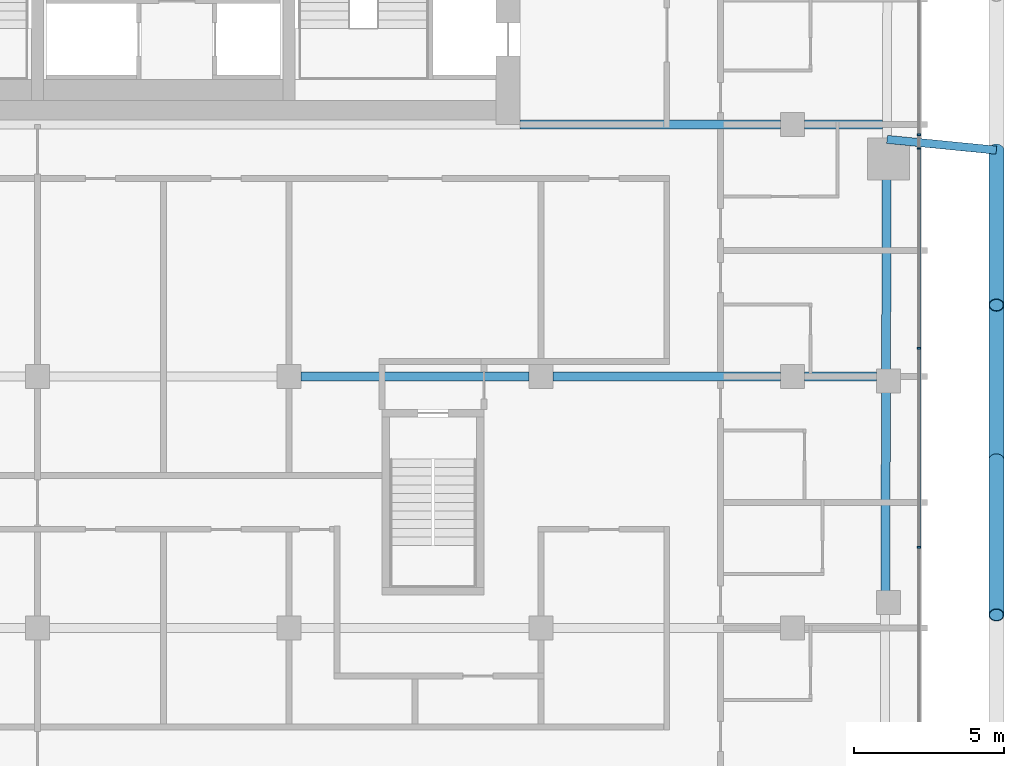
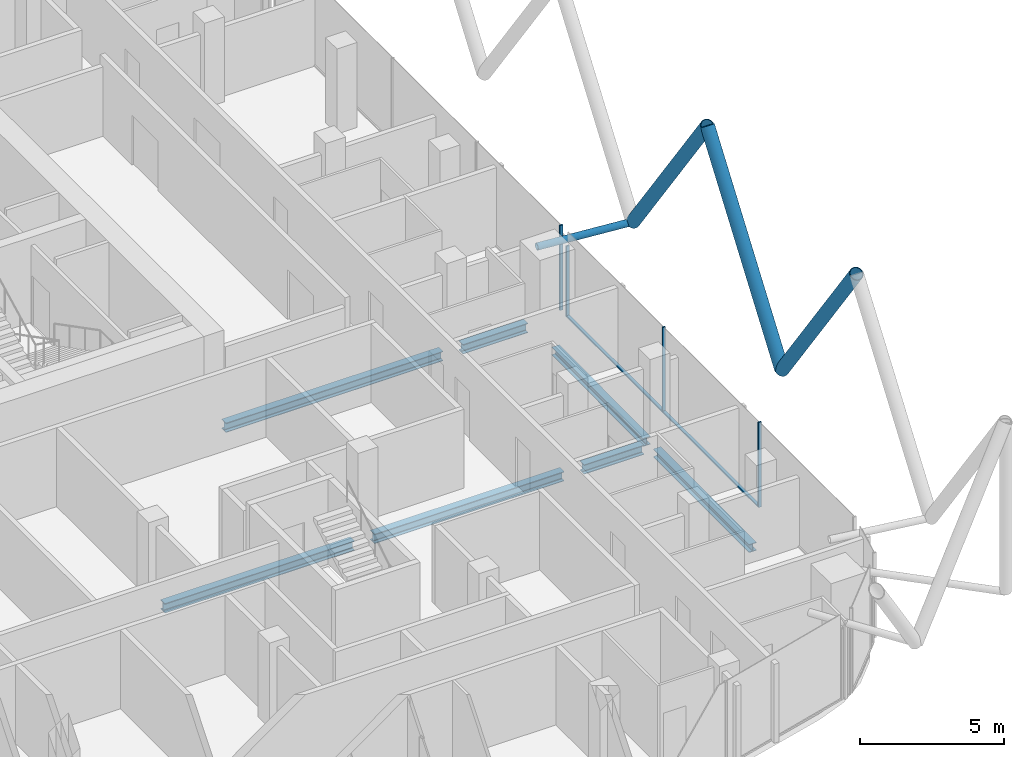
# One storey, part 7 of 31: 10 members, 7 beams, 3 elements without a shape of their own.
"""IFC4 building model written with IfcOpenShell, lengths in metres."""

from ifc_helpers import new_model, si_unit, direction, frame, origin, origin_2d, place, context, subcontext, project, spatial, rectangle, hollow_circle, i_section, extrude, material, layer, layer_set, material_profile, profile_set, type_object, element, aggregate, save


model = new_model("IFC4")

# Units and contexts
model_context = context("Model", 3, precision=1e-05, world=origin(), true_north=direction((0.0, 1.0)))
body_context = subcontext(model_context, "Body", "Model", "MODEL_VIEW")
ifc_project = project(units=[si_unit("LENGTHUNIT", "METRE"), si_unit("AREAUNIT", "SQUARE_METRE"), si_unit("VOLUMEUNIT", "CUBIC_METRE"), si_unit("PLANEANGLEUNIT", "RADIAN"), si_unit("MASSUNIT", "GRAM", prefix="KILO")], contexts=[model_context])

# Site, building, storey
site_placement = place(None, origin())
site = spatial("IfcSite", under=ifc_project, at=site_placement, CompositionType="ELEMENT")
building_placement = place(site_placement, origin())
building = spatial("IfcBuilding", under=site, at=building_placement, Name="Marenta Gate Hotel Tower", CompositionType="ELEMENT")
storey_placement = place(building_placement, frame((0.0, 0.0, 191.300048828125)))
storey = spatial("IfcBuildingStorey", under=building, at=storey_placement, Name="L43", CompositionType="ELEMENT", Elevation=191.300048828125)

# Members
ifc_material_1 = material(Name="Steel S355J2W", Category="steel")
ifc_material_profile_1 = material_profile(ifc_material_1, hollow_circle(Radius=0.25390625, WallThickness=0.02490234375, at=origin_2d()), Name="CHS 508x25")
ifc_profile_set_1 = profile_set([ifc_material_profile_1], Name="Steel S355J2W")
member_type_1 = type_object("IfcMemberType", Name="Diagrid diagonal Z3 CHS 508x25", PredefinedType="BRACE", material=ifc_profile_set_1)
member_1_placement = place(storey_placement, frame((27.800048828125, -0.85009765625, 3.139892578125), z_axis=(0.0, -0.583260841117, 0.812284919975), x_axis=(1.0, 0.0, 0.0)))
element("IfcMember", 1, at=member_1_placement, inside=storey, type_object=member_type_1, Name="L43-DG-6", PredefinedType="BRACE", context=body_context, shape_type="SweptSolid", body=[
    extrude(hollow_circle(Radius=0.25390625, WallThickness=0.02490234375, at=origin_2d()), origin(), (0.0, 0.0, 1.0), 8.86376953125),
])
member_2_placement = place(storey_placement, frame((27.800048828125, -11.190185546875, 3.139892578125), z_axis=(0.0, 0.583279014058, 0.812271870595), x_axis=(-1.0, 0.0, 0.0)))
element("IfcMember", 2, at=member_2_placement, inside=storey, type_object=member_type_1, Name="L43-DG-7", PredefinedType="BRACE", context=body_context, shape_type="SweptSolid", body=[
    extrude(hollow_circle(Radius=0.25390625, WallThickness=0.02490234375, at=origin_2d()), origin(), (0.0, 0.0, 1.0), 8.864013671875),
])
member_3_placement = place(storey_placement, frame((27.800048828125, -11.190185546875, 3.139892578125), z_axis=(0.0, -0.583260841117, 0.812284919975), x_axis=(1.0, 0.0, 0.0)))
element("IfcMember", 3, at=member_3_placement, inside=storey, type_object=member_type_1, Name="L43-DG-8", PredefinedType="BRACE", context=body_context, shape_type="SweptSolid", body=[
    extrude(hollow_circle(Radius=0.25390625, WallThickness=0.02490234375, at=origin_2d()), origin(), (0.0, 0.0, 1.0), 8.86376953125),
])

# Beams
ifc_material_2 = material(Name="Steel S355", Category="steel")
ifc_material_profile_2 = material_profile(ifc_material_2, i_section(OverallWidth=0.300048828125, OverallDepth=0.340087890625, WebThickness=0.011962890625, FlangeThickness=0.021484375, FilletRadius=0.027099609375, at=origin_2d()), Name="HEB 340")
ifc_profile_set_2 = profile_set([ifc_material_profile_2], Name="Steel S355")
beam_type_1 = type_object("IfcBeamType", Name="Edge beam HEB 340", PredefinedType="SPANDREL", material=ifc_profile_set_2)
beam_1_placement = place(storey_placement, frame((24.1396484375, -1.81005859375, -0.429931640625), z_axis=(-0.003328723523, -0.999994459785, 0.0), x_axis=(0.999994459785, -0.003328723523, 0.0)))
element("IfcBeam", 4, at=beam_1_placement, inside=storey, type_object=beam_type_1, Name="L43-EB-25", PredefinedType="SPANDREL", context=body_context, shape_type="SweptSolid", body=[
    extrude(i_section(OverallWidth=0.300048828125, OverallDepth=0.340087890625, WebThickness=0.011962890625, FlangeThickness=0.021484375, FilletRadius=0.027099609375, at=origin_2d()), origin(), (0.0, 0.0, 1.0), 6.380859375),
])
beam_2_placement = place(storey_placement, frame((24.115966796875, -8.910888671875, -0.429931640625), z_axis=(-0.00332539729, -0.999994470851, 0.0), x_axis=(0.999994470851, -0.00332539729, 0.0)))
element("IfcBeam", 5, at=beam_2_placement, inside=storey, type_object=beam_type_1, Name="L43-EB-26", PredefinedType="SPANDREL", context=body_context, shape_type="SweptSolid", body=[
    extrude(i_section(OverallWidth=0.300048828125, OverallDepth=0.340087890625, WebThickness=0.011962890625, FlangeThickness=0.021484375, FilletRadius=0.027099609375, at=origin_2d()), origin(), (0.0, 0.0, 1.0), 6.680908203125),
])

# Member
ifc_material_3 = material(Name="Steel S355J2W", Category="steel")
ifc_material_profile_3 = material_profile(ifc_material_3, hollow_circle(Radius=0.136474609375, WallThickness=0.012451171875, at=origin_2d()), Name="CHS 273x12.5")
ifc_profile_set_3 = profile_set([ifc_material_profile_3], Name="Steel S355J2W")
member_type_2 = type_object("IfcMemberType", Name="Floor tie CHS 273x12.5", PredefinedType="STRUT", material=ifc_profile_set_3)
member_4_placement = place(storey_placement, frame((27.800048828125, -0.85009765625, 3.139892578125), z_axis=(-0.995181771772, 0.098047137303, 0.0), x_axis=(-0.098047137303, -0.995181771772, 0.0)))
element("IfcMember", 6, at=member_4_placement, inside=storey, type_object=member_type_2, Name="L43-DR-9", PredefinedType="STRUT", context=body_context, shape_type="SweptSolid", body=[
    extrude(hollow_circle(Radius=0.136474609375, WallThickness=0.012451171875, at=origin_2d()), origin(), (0.0, 0.0, 1.0), 3.667724609375),
])

# Beams
ifc_material_4 = material(Name="Steel S355", Category="steel")
ifc_material_profile_4 = material_profile(ifc_material_4, i_section(OverallWidth=0.300048828125, OverallDepth=0.39990234375, WebThickness=0.013427734375, FlangeThickness=0.02392578125, FilletRadius=0.027099609375, at=origin_2d()), Name="HEB 400")
ifc_profile_set_4 = profile_set([ifc_material_profile_4], Name="Steel S355")
beam_type_2 = type_object("IfcBeamType", Name="Girder HEB 400", PredefinedType="BEAM", material=ifc_profile_set_4)
beam_3_placement = place(storey_placement, frame((4.60009765625, -8.39990234375, -0.4599609375), z_axis=(1.0, 0.0, 0.0), x_axis=(0.0, 1.0, 0.0)))
element("IfcBeam", 7, at=beam_3_placement, inside=storey, type_object=beam_type_2, Name="L43-GD-17", PredefinedType="BEAM", context=body_context, shape_type="SweptSolid", body=[
    extrude(i_section(OverallWidth=0.300048828125, OverallDepth=0.39990234375, WebThickness=0.013427734375, FlangeThickness=0.02392578125, FilletRadius=0.027099609375, at=origin_2d()), origin(), (0.0, 0.0, 1.0), 7.599853515625),
])
beam_4_placement = place(storey_placement, frame((13.0, -8.39990234375, -0.4599609375), z_axis=(1.0, 0.0, 0.0), x_axis=(0.0, 1.0, 0.0)))
element("IfcBeam", 8, at=beam_4_placement, inside=storey, type_object=beam_type_2, Name="L43-GD-18", PredefinedType="BEAM", context=body_context, shape_type="SweptSolid", body=[
    extrude(i_section(OverallWidth=0.300048828125, OverallDepth=0.39990234375, WebThickness=0.013427734375, FlangeThickness=0.02392578125, FilletRadius=0.027099609375, at=origin_2d()), origin(), (0.0, 0.0, 1.0), 7.60009765625),
])
beam_5_placement = place(storey_placement, frame((21.39990234375, -8.39990234375, -0.4599609375), z_axis=(1.0, 0.0, 0.0), x_axis=(0.0, 1.0, 0.0)))
element("IfcBeam", 9, at=beam_5_placement, inside=storey, type_object=beam_type_2, Name="L43-GD-19", PredefinedType="BEAM", context=body_context, shape_type="SweptSolid", body=[
    extrude(i_section(OverallWidth=0.300048828125, OverallDepth=0.39990234375, WebThickness=0.013427734375, FlangeThickness=0.02392578125, FilletRadius=0.027099609375, at=origin_2d()), origin(), (0.0, 0.0, 1.0), 2.400146484375),
])
beam_6_placement = place(storey_placement, frame((11.89990234375, 0.0, -0.4599609375), z_axis=(1.0, 0.0, 0.0), x_axis=(0.0, 1.0, 0.0)))
element("IfcBeam", 10, at=beam_6_placement, inside=storey, type_object=beam_type_2, Name="L43-GD-23", PredefinedType="BEAM", context=body_context, shape_type="SweptSolid", body=[
    extrude(i_section(OverallWidth=0.300048828125, OverallDepth=0.39990234375, WebThickness=0.013427734375, FlangeThickness=0.02392578125, FilletRadius=0.027099609375, at=origin_2d()), origin(), (0.0, 0.0, 1.0), 8.7001953125),
])
beam_7_placement = place(storey_placement, frame((21.39990234375, 0.0, -0.4599609375), z_axis=(1.0, 0.0, 0.0), x_axis=(0.0, 1.0, 0.0)))
element("IfcBeam", 11, at=beam_7_placement, inside=storey, type_object=beam_type_2, Name="L43-GD-24", PredefinedType="BEAM", context=body_context, shape_type="SweptSolid", body=[
    extrude(i_section(OverallWidth=0.300048828125, OverallDepth=0.39990234375, WebThickness=0.013427734375, FlangeThickness=0.02392578125, FilletRadius=0.027099609375, at=origin_2d()), origin(), (0.0, 0.0, 1.0), 2.595703125),
])

# Curtain wall, members
ifc_material_5 = material(Name="Tinted insulated glass in bronze anodised frame", Category="glass")
ifc_layer = layer(ifc_material_5, 0.1201171875)
ifc_layer_set = layer_set([ifc_layer], Name="Tinted insulated glass in bronze anodised frame")
curtain_wall_type = type_object("IfcCurtainWallType", Name="Tower unitised curtain wall CW1", PredefinedType="NOTDEFINED", material=ifc_layer_set)
curtain_wall_1_placement = place(storey_placement, origin())
curtain_wall_1 = element("IfcCurtainWall", 12, at=curtain_wall_1_placement, inside=storey, type_object=curtain_wall_type, Name="CW1 run G32", PredefinedType="NOTDEFINED")
ifc_material_6 = material(Name="Bronze anodised aluminium", Category="aluminium")
ifc_material_profile_5 = material_profile(ifc_material_6, rectangle(XDim=0.1201171875, YDim=0.06005859375, at=origin_2d()), Name="Mullion CW1 60x120 bronze anodised aluminium")
ifc_profile_set_5 = profile_set([ifc_material_profile_5], Name="Bronze anodised aluminium")
member_type_3 = type_object("IfcMemberType", Name="Mullion CW1 60x120 bronze anodised aluminium", PredefinedType="MULLION", material=ifc_profile_set_5)
member_5_placement = place(storey_placement, frame((25.214111328125, -14.103515625, 0.0), z_axis=(0.0, 0.0, 1.0), x_axis=(-1.0, 0.0, 0.0)))
member_5 = element("IfcMember", 13, at=member_5_placement, type_object=member_type_3, Name="CW1 mullion 2", PredefinedType="MULLION", context=body_context, shape_type="SweptSolid", body=[
    extrude(rectangle(XDim=0.1201171875, YDim=0.06005859375, at=origin_2d()), origin(), (0.0, 0.0, 1.0), 3.599853515625),
])
member_6_placement = place(storey_placement, frame((25.214111328125, -7.46337890625, 0.0), z_axis=(0.0, 0.0, 1.0), x_axis=(-1.0, 0.0, 0.0)))
member_6 = element("IfcMember", 14, at=member_6_placement, type_object=member_type_3, Name="CW1 mullion 3", PredefinedType="MULLION", context=body_context, shape_type="SweptSolid", body=[
    extrude(rectangle(XDim=0.1201171875, YDim=0.06005859375, at=origin_2d()), origin(), (0.0, 0.0, 1.0), 3.599853515625),
])

# Curtain wall, member
curtain_wall_2_placement = place(storey_placement, origin())
curtain_wall_2 = element("IfcCurtainWall", 15, at=curtain_wall_2_placement, inside=storey, type_object=curtain_wall_type, Name="CW1 run G33", PredefinedType="NOTDEFINED")
member_7_placement = place(storey_placement, frame((25.214111328125, -0.79296875, 0.0), z_axis=(0.0, 0.0, 1.0), x_axis=(-1.0, 0.0, 0.0)))
member_7 = element("IfcMember", 16, at=member_7_placement, type_object=member_type_3, Name="CW1 mullion 1", PredefinedType="MULLION", context=body_context, shape_type="SweptSolid", body=[
    extrude(rectangle(XDim=0.1201171875, YDim=0.06005859375, at=origin_2d()), origin(), (0.0, 0.0, 1.0), 3.00048828125),
])
aggregate(curtain_wall_2, [member_7])

curtain_wall_3_placement = place(storey_placement, origin())
curtain_wall_3 = element("IfcCurtainWall", 17, at=curtain_wall_3_placement, inside=storey, type_object=curtain_wall_type, Name="CW1 run G34", PredefinedType="NOTDEFINED")
member_8_placement = place(storey_placement, frame((25.214111328125, -0.337890625, 0.0), z_axis=(0.0, 0.0, 1.0), x_axis=(-1.0, 0.0, 0.0)))
member_8 = element("IfcMember", 18, at=member_8_placement, type_object=member_type_3, Name="CW1 mullion 1", PredefinedType="MULLION", context=body_context, shape_type="SweptSolid", body=[
    extrude(rectangle(XDim=0.1201171875, YDim=0.06005859375, at=origin_2d()), origin(), (0.0, 0.0, 1.0), 3.599853515625),
])
aggregate(curtain_wall_3, [member_8])

# Member
ifc_material_7 = material(Name="Bronze anodised aluminium", Category="aluminium")
ifc_material_profile_6 = material_profile(ifc_material_7, rectangle(XDim=0.1201171875, YDim=0.06005859375, at=origin_2d()), Name="Transom CW1 60x120 bronze anodised aluminium")
ifc_profile_set_6 = profile_set([ifc_material_profile_6], Name="Bronze anodised aluminium")
member_type_4 = type_object("IfcMemberType", Name="Transom CW1 60x120 bronze anodised aluminium", PredefinedType="USERDEFINED", material=ifc_profile_set_6)
member_9_placement = place(storey_placement, frame((25.214111328125, -14.073486328125, 0.030029296875), z_axis=(0.0, 1.0, 0.0), x_axis=(-1.0, 0.0, 0.0)))
member_9 = element("IfcMember", 19, at=member_9_placement, type_object=member_type_4, Name="CW1 transom 2.1", ObjectType="TRANSOM", PredefinedType="USERDEFINED", context=body_context, shape_type="SweptSolid", body=[
    extrude(rectangle(XDim=0.1201171875, YDim=0.06005859375, at=origin_2d()), origin(), (0.0, 0.0, 1.0), 6.580078125),
])

member_10_placement = place(storey_placement, frame((25.214111328125, -7.433349609375, 0.030029296875), z_axis=(0.0, 1.0, 0.0), x_axis=(-1.0, 0.0, 0.0)))
member_10 = element("IfcMember", 20, at=member_10_placement, type_object=member_type_4, Name="CW1 transom 3.1", ObjectType="TRANSOM", PredefinedType="USERDEFINED", context=body_context, shape_type="SweptSolid", body=[
    extrude(rectangle(XDim=0.1201171875, YDim=0.06005859375, at=origin_2d()), origin(), (0.0, 0.0, 1.0), 6.6103515625),
])

aggregate(curtain_wall_1, [member_5, member_6, member_9, member_10])

save(model, "model.ifc")
